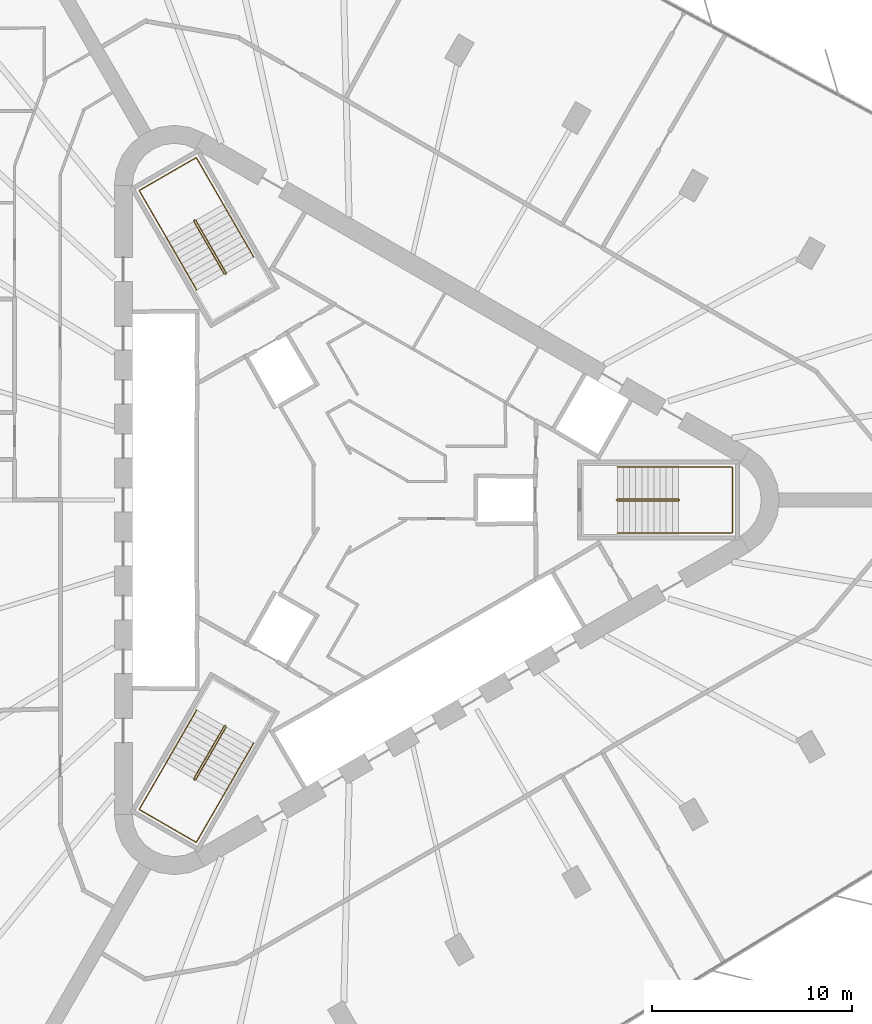
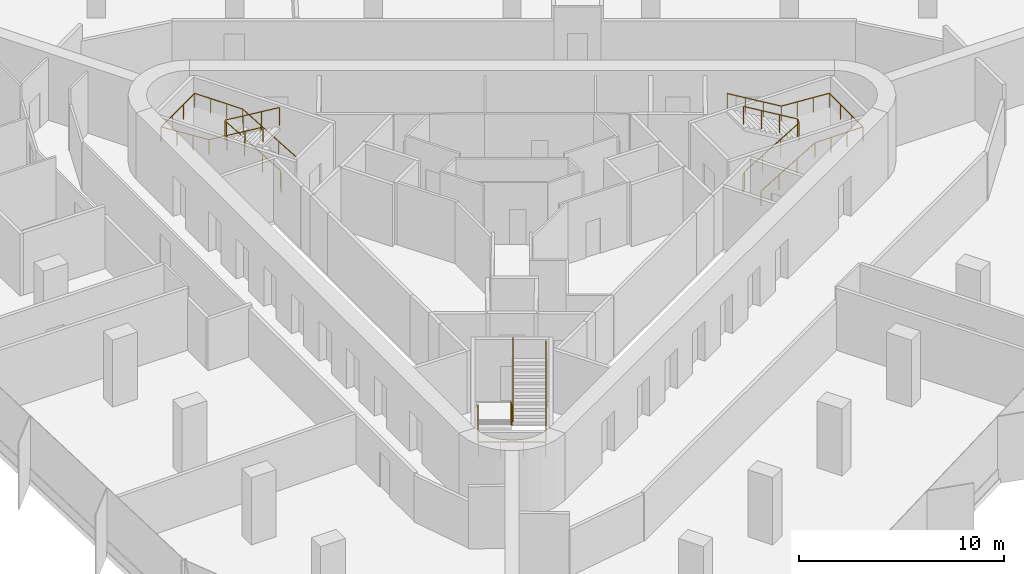
# One storey, part 14 of 14: 6 railings.
"""IFC4 building model written with IfcOpenShell, lengths in metres."""

from ifc_helpers import new_model, si_unit, direction, frame, origin, origin_2d, place, context, subcontext, project, spatial, circle, extrude, material, type_object, element, save


model = new_model("IFC4")

# Units and contexts
model_context = context("Model", 3, precision=1e-05, world=origin(), true_north=direction((0.0, 1.0)))
body_context = subcontext(model_context, "Body", "Model", "MODEL_VIEW")
ifc_project = project(units=[si_unit("LENGTHUNIT", "METRE"), si_unit("AREAUNIT", "SQUARE_METRE"), si_unit("VOLUMEUNIT", "CUBIC_METRE"), si_unit("PLANEANGLEUNIT", "RADIAN"), si_unit("MASSUNIT", "GRAM", prefix="KILO")], contexts=[model_context])

# Site, building, storey
site_placement = place(None, origin())
site = spatial("IfcSite", under=ifc_project, at=site_placement, CompositionType="ELEMENT")
building_placement = place(site_placement, origin())
building = spatial("IfcBuilding", under=site, at=building_placement, Name="Tanit Gate Tower", CompositionType="ELEMENT")
storey_placement = place(building_placement, frame((0.0, 0.0, 217.199951171875)))
storey = spatial("IfcBuildingStorey", under=building, at=storey_placement, Name="L48", CompositionType="ELEMENT", Elevation=217.199951171875)

# Railings
ifc_material_1 = material(Name="Stainless steel balustrade", Category="steel")
railing_type_1 = type_object("IfcRailingType", Name="INT-STAIR-GUARD", PredefinedType="GUARDRAIL", material=ifc_material_1)
railing_1_placement = place(storey_placement, frame((13.044921875, 0.0048828125, 0.0)))
element("IfcRailing", 1, at=railing_1_placement, inside=storey, type_object=railing_type_1, Name="L48 S1 stair guard 1", PredefinedType="GUARDRAIL", context=body_context, shape_type="SweptSolid", body=[
    extrude(circle(Radius=0.02392578125, at=origin_2d()), frame((0.0, 0.0, 1.076171875), z_axis=(0.0, -1.0, 0.0), x_axis=(1.0, 0.0, 0.0)), (0.0, 0.0, 1.0), 0.009765625),
    extrude(circle(Radius=0.02392578125, at=origin_2d()), frame((0.0, -0.009765625, 1.076171875), z_axis=(0.256435381639, -0.256435381639, 0.931923704005), x_axis=(0.707106781187, 0.707106781187, 0.0)), (0.0, 0.0, 1.0), 0.195068359375),
    extrude(circle(Radius=0.02392578125, at=origin_2d()), frame((0.050048828125, -0.059814453125, 1.2578125), z_axis=(0.859041732319, 0.0, 0.511905559781), x_axis=(0.0, 1.0, 0.0)), (0.0, 0.0, 1.0), 3.5517578125),
    extrude(circle(Radius=0.02392578125, at=origin_2d()), frame((3.10107421875, -0.059814453125, 3.076171875), z_axis=(0.707106781187, 0.707106781187, 0.0), x_axis=(-0.707106781187, 0.707106781187, 0.0)), (0.0, 0.0, 1.0), 0.07080078125),
    extrude(circle(Radius=0.02392578125, at=origin_2d()), frame((3.151123046875, -0.009765625, 3.076171875), z_axis=(0.0, 1.0, 0.0), x_axis=(-1.0, 0.0, 0.0)), (0.0, 0.0, 1.0), 0.009765625),
    extrude(circle(Radius=0.02392578125, at=origin_2d()), frame((3.151123046875, 0.0, 3.076171875), z_axis=(-0.256435381639, 0.256435381639, 0.931923704005), x_axis=(-0.707106781187, -0.707106781187, 0.0)), (0.0, 0.0, 1.0), 0.195068359375),
    extrude(circle(Radius=0.02392578125, at=origin_2d()), frame((3.10107421875, 0.050048828125, 3.2578125), z_axis=(-0.859041732319, 0.0, 0.511905559781), x_axis=(0.0, -1.0, 0.0)), (0.0, 0.0, 1.0), 3.5517578125),
    extrude(circle(Radius=0.02099609375, at=origin_2d()), origin(), (0.0, 0.0, 1.0), 1.052001953125),
    extrude(circle(Radius=0.02099609375, at=origin_2d()), frame((0.0, -0.009765625, 0.0)), (0.0, 0.0, 1.0), 1.052001953125),
    extrude(circle(Radius=0.02099609375, at=origin_2d()), frame((0.050048828125, -0.059814453125, 0.181884765625)), (0.0, 0.0, 1.0), 1.052001953125),
    extrude(circle(Radius=0.02099609375, at=origin_2d()), frame((1.067138671875, -0.059814453125, 0.787841796875)), (0.0, 0.0, 1.0), 1.052001953125),
    extrude(circle(Radius=0.02099609375, at=origin_2d()), frame((2.083984375, -0.059814453125, 1.39404296875)), (0.0, 0.0, 1.0), 1.052001953125),
    extrude(circle(Radius=0.02099609375, at=origin_2d()), frame((3.10107421875, -0.059814453125, 2.0)), (0.0, 0.0, 1.0), 1.052001953125),
    extrude(circle(Radius=0.02099609375, at=origin_2d()), frame((3.151123046875, -0.009765625, 2.0)), (0.0, 0.0, 1.0), 1.052001953125),
    extrude(circle(Radius=0.02099609375, at=origin_2d()), frame((3.151123046875, 0.0, 2.0)), (0.0, 0.0, 1.0), 1.052001953125),
    extrude(circle(Radius=0.02099609375, at=origin_2d()), frame((3.10107421875, 0.050048828125, 2.181884765625)), (0.0, 0.0, 1.0), 1.052001953125),
    extrude(circle(Radius=0.02099609375, at=origin_2d()), frame((2.083984375, 0.050048828125, 2.787841796875)), (0.0, 0.0, 1.0), 1.052001953125),
    extrude(circle(Radius=0.02099609375, at=origin_2d()), frame((1.067138671875, 0.050048828125, 3.39404296875)), (0.0, 0.0, 1.0), 1.052001953125),
    extrude(circle(Radius=0.02099609375, at=origin_2d()), frame((0.050048828125, 0.050048828125, 4.0)), (0.0, 0.0, 1.0), 1.052001953125),
])
railing_2_placement = place(storey_placement, frame((-6.527099609375, 11.29345703125, 0.0)))
element("IfcRailing", 2, at=railing_2_placement, inside=storey, type_object=railing_type_1, Name="L48 S2 stair guard 1", PredefinedType="GUARDRAIL", context=body_context, shape_type="SweptSolid", body=[
    extrude(circle(Radius=0.02392578125, at=origin_2d()), frame((0.0, 0.0, 1.076171875), z_axis=(0.868243142124, 0.496138938357, 0.0), x_axis=(-0.496138938357, 0.868243142124, 0.0)), (0.0, 0.0, 1.0), 0.01171875),
    extrude(circle(Radius=0.02392578125, at=origin_2d()), frame((0.01025390625, 0.005859375, 1.076171875), z_axis=(0.093819657636, 0.350260055175, 0.93194193252), x_axis=(-0.965948051503, 0.258736085224, 0.0)), (0.0, 0.0, 1.0), 0.195068359375),
    extrude(circle(Radius=0.02392578125, at=origin_2d()), frame((0.028564453125, 0.07421875, 1.2578125), z_axis=(-0.429472220917, 0.743822504634, 0.512134448226), x_axis=(-0.866012246495, -0.500022788402, 0.0)), (0.0, 0.0, 1.0), 3.550048828125),
    extrude(circle(Radius=0.02392578125, at=origin_2d()), frame((-1.49609375, 2.71484375, 3.076171875), z_axis=(-0.965715946433, 0.259601060869, 0.0), x_axis=(-0.259601060869, -0.965715946433, 0.0)), (0.0, 0.0, 1.0), 0.070556640625),
    extrude(circle(Radius=0.02392578125, at=origin_2d()), frame((-1.564208984375, 2.733154296875, 3.076171875), z_axis=(-0.873197702015, -0.487366159264, 0.0), x_axis=(0.487366159264, -0.873197702015, 0.0)), (0.0, 0.0, 1.0), 0.011962890625),
    extrude(circle(Radius=0.02392578125, at=origin_2d()), frame((-1.57470703125, 2.727294921875, 3.076171875), z_axis=(-0.093819657636, -0.350260055175, 0.93194193252), x_axis=(0.965948051503, -0.258736085224, 0.0)), (0.0, 0.0, 1.0), 0.195068359375),
    extrude(circle(Radius=0.02392578125, at=origin_2d()), frame((-1.593017578125, 2.658935546875, 3.2578125), z_axis=(0.429472220917, -0.743822504634, 0.512134448226), x_axis=(0.866012246495, 0.500022788402, 0.0)), (0.0, 0.0, 1.0), 3.550048828125),
    extrude(circle(Radius=0.02099609375, at=origin_2d()), origin(), (0.0, 0.0, 1.0), 1.052001953125),
    extrude(circle(Radius=0.02099609375, at=origin_2d()), frame((0.01025390625, 0.005859375, 0.0)), (0.0, 0.0, 1.0), 1.052001953125),
    extrude(circle(Radius=0.02099609375, at=origin_2d()), frame((0.028564453125, 0.07421875, 0.181884765625)), (0.0, 0.0, 1.0), 1.052001953125),
    extrude(circle(Radius=0.02099609375, at=origin_2d()), frame((-0.479736328125, 0.954345703125, 0.787841796875)), (0.0, 0.0, 1.0), 1.052001953125),
    extrude(circle(Radius=0.02099609375, at=origin_2d()), frame((-0.98779296875, 1.834716796875, 1.39404296875)), (0.0, 0.0, 1.0), 1.052001953125),
    extrude(circle(Radius=0.02099609375, at=origin_2d()), frame((-1.49609375, 2.71484375, 2.0)), (0.0, 0.0, 1.0), 1.052001953125),
    extrude(circle(Radius=0.02099609375, at=origin_2d()), frame((-1.564208984375, 2.733154296875, 2.0)), (0.0, 0.0, 1.0), 1.052001953125),
    extrude(circle(Radius=0.02099609375, at=origin_2d()), frame((-1.57470703125, 2.727294921875, 2.0)), (0.0, 0.0, 1.0), 1.052001953125),
    extrude(circle(Radius=0.02099609375, at=origin_2d()), frame((-1.593017578125, 2.658935546875, 2.181884765625)), (0.0, 0.0, 1.0), 1.052001953125),
    extrude(circle(Radius=0.02099609375, at=origin_2d()), frame((-1.084716796875, 1.77880859375, 2.787841796875)), (0.0, 0.0, 1.0), 1.052001953125),
    extrude(circle(Radius=0.02099609375, at=origin_2d()), frame((-0.57666015625, 0.8984375, 3.39404296875)), (0.0, 0.0, 1.0), 1.052001953125),
    extrude(circle(Radius=0.02099609375, at=origin_2d()), frame((-0.068359375, 0.018310546875, 4.0)), (0.0, 0.0, 1.0), 1.052001953125),
])
railing_3_placement = place(storey_placement, frame((-6.51806640625, -11.2998046875, 0.0)))
element("IfcRailing", 3, at=railing_3_placement, inside=storey, type_object=railing_type_1, Name="L48 S3 stair guard 1", PredefinedType="GUARDRAIL", context=body_context, shape_type="SweptSolid", body=[
    extrude(circle(Radius=0.02392578125, at=origin_2d()), frame((0.0, 0.0, 1.076171875), z_axis=(-0.874157276122, 0.485642931179, 0.0), x_axis=(-0.485642931179, -0.874157276122, 0.0)), (0.0, 0.0, 1.0), 0.010009765625),
    extrude(circle(Radius=0.02392578125, at=origin_2d()), frame((-0.0087890625, 0.0048828125, 1.076171875), z_axis=(-0.350300895388, -0.092579522353, 0.932050596658), x_axis=(0.255512919477, -0.966805641264, 0.0)), (0.0, 0.0, 1.0), 0.195068359375),
    extrude(circle(Radius=0.02392578125, at=origin_2d()), frame((-0.0771484375, -0.01318359375, 1.2578125), z_axis=(-0.429486674828, -0.743971555965, 0.511905772639), x_axis=(0.866048339477, -0.499960272111, 0.0)), (0.0, 0.0, 1.0), 3.5517578125),
    extrude(circle(Radius=0.02392578125, at=origin_2d()), frame((-1.6025390625, -2.655517578125, 3.076171875), z_axis=(0.258736085224, -0.965948051503, 0.0), x_axis=(0.965948051503, 0.258736085224, 0.0)), (0.0, 0.0, 1.0), 0.07080078125),
    extrude(circle(Radius=0.02392578125, at=origin_2d()), frame((-1.584228515625, -2.723876953125, 3.076171875), z_axis=(0.868243142124, -0.496138938357, 0.0), x_axis=(0.496138938357, 0.868243142124, 0.0)), (0.0, 0.0, 1.0), 0.009765625),
    extrude(circle(Radius=0.02392578125, at=origin_2d()), frame((-1.57568359375, -2.728759765625, 3.076171875), z_axis=(0.350260055175, 0.093819657636, 0.93194193252), x_axis=(-0.258736085224, 0.965948051503, 0.0)), (0.0, 0.0, 1.0), 0.195068359375),
    extrude(circle(Radius=0.02392578125, at=origin_2d()), frame((-1.50732421875, -2.71044921875, 3.2578125), z_axis=(0.429564698942, 0.743918894535, 0.511916836777), x_axis=(-0.865993683553, 0.500054937028, 0.0)), (0.0, 0.0, 1.0), 3.551513671875),
    extrude(circle(Radius=0.02099609375, at=origin_2d()), origin(), (0.0, 0.0, 1.0), 1.052001953125),
    extrude(circle(Radius=0.02099609375, at=origin_2d()), frame((-0.0087890625, 0.0048828125, 0.0)), (0.0, 0.0, 1.0), 1.052001953125),
    extrude(circle(Radius=0.02099609375, at=origin_2d()), frame((-0.0771484375, -0.01318359375, 0.181884765625)), (0.0, 0.0, 1.0), 1.052001953125),
    extrude(circle(Radius=0.02099609375, at=origin_2d()), frame((-0.585693359375, -0.89404296875, 0.787841796875)), (0.0, 0.0, 1.0), 1.052001953125),
    extrude(circle(Radius=0.02099609375, at=origin_2d()), frame((-1.093994140625, -1.774658203125, 1.39404296875)), (0.0, 0.0, 1.0), 1.052001953125),
    extrude(circle(Radius=0.02099609375, at=origin_2d()), frame((-1.6025390625, -2.655517578125, 2.0)), (0.0, 0.0, 1.0), 1.052001953125),
    extrude(circle(Radius=0.02099609375, at=origin_2d()), frame((-1.584228515625, -2.723876953125, 2.0)), (0.0, 0.0, 1.0), 1.052001953125),
    extrude(circle(Radius=0.02099609375, at=origin_2d()), frame((-1.57568359375, -2.728759765625, 2.0)), (0.0, 0.0, 1.0), 1.052001953125),
    extrude(circle(Radius=0.02099609375, at=origin_2d()), frame((-1.50732421875, -2.71044921875, 2.181884765625)), (0.0, 0.0, 1.0), 1.052001953125),
    extrude(circle(Radius=0.02099609375, at=origin_2d()), frame((-0.998779296875, -1.829833984375, 2.787841796875)), (0.0, 0.0, 1.0), 1.052001953125),
    extrude(circle(Radius=0.02099609375, at=origin_2d()), frame((-0.490234375, -0.948974609375, 3.39404296875)), (0.0, 0.0, 1.0), 1.052001953125),
    extrude(circle(Radius=0.02099609375, at=origin_2d()), frame((0.018310546875, -0.068359375, 4.0)), (0.0, 0.0, 1.0), 1.052001953125),
])
ifc_material_2 = material(Name="Stainless steel handrail", Category="steel")
railing_type_2 = type_object("IfcRailingType", Name="INT-STAIR-HANDRAIL", PredefinedType="HANDRAIL", material=ifc_material_2)
railing_4_placement = place(storey_placement, frame((13.094970703125, -1.64990234375, 0.181884765625)))
element("IfcRailing", 4, at=railing_4_placement, inside=storey, type_object=railing_type_2, Name="L48 S1 stair handrail 1", PredefinedType="HANDRAIL", context=body_context, shape_type="SweptSolid", body=[
    extrude(circle(Radius=0.02392578125, at=origin_2d()), frame((0.0, 0.0, 0.8759765625), z_axis=(0.859041732319, 0.0, 0.511905559781), x_axis=(0.0, 1.0, 0.0)), (0.0, 0.0, 1.0), 3.5517578125),
    extrude(circle(Radius=0.02392578125, at=origin_2d()), frame((3.051025390625, 0.0, 2.69384765625), z_axis=(1.0, 0.0, 0.0), x_axis=(0.0, 1.0, 0.0)), (0.0, 0.0, 1.0), 2.7041015625),
    extrude(circle(Radius=0.02392578125, at=origin_2d()), frame((5.755126953125, 0.0, 2.69384765625), z_axis=(0.0, 1.0, 0.0), x_axis=(-1.0, 0.0, 0.0)), (0.0, 0.0, 1.0), 3.2998046875),
    extrude(circle(Radius=0.02392578125, at=origin_2d()), frame((5.755126953125, 3.2998046875, 2.69384765625), z_axis=(-0.997745521698, 0.0, 0.067110907698), x_axis=(0.0, -1.0, 0.0)), (0.0, 0.0, 1.0), 2.710205078125),
    extrude(circle(Radius=0.02392578125, at=origin_2d()), frame((3.051025390625, 3.2998046875, 2.8759765625), z_axis=(-0.859041732319, 0.0, 0.511905559781), x_axis=(0.0, -1.0, 0.0)), (0.0, 0.0, 1.0), 3.5517578125),
    extrude(circle(Radius=0.02099609375, at=origin_2d()), origin(), (0.0, 0.0, 1.0), 0.851806640625),
    extrude(circle(Radius=0.02099609375, at=origin_2d()), frame((1.01708984375, 0.0, 0.60595703125)), (0.0, 0.0, 1.0), 0.851806640625),
    extrude(circle(Radius=0.02099609375, at=origin_2d()), frame((2.033935546875, 0.0, 1.212158203125)), (0.0, 0.0, 1.0), 0.851806640625),
    extrude(circle(Radius=0.02099609375, at=origin_2d()), frame((3.051025390625, 0.0, 1.818115234375)), (0.0, 0.0, 1.0), 0.851806640625),
    extrude(circle(Radius=0.02099609375, at=origin_2d()), frame((3.952392578125, 0.0, 1.818115234375)), (0.0, 0.0, 1.0), 0.851806640625),
    extrude(circle(Radius=0.02099609375, at=origin_2d()), frame((4.853759765625, 0.0, 1.818115234375)), (0.0, 0.0, 1.0), 0.851806640625),
    extrude(circle(Radius=0.02099609375, at=origin_2d()), frame((5.755126953125, 0.0, 1.818115234375)), (0.0, 0.0, 1.0), 0.851806640625),
    extrude(circle(Radius=0.02099609375, at=origin_2d()), frame((5.755126953125, 1.099853515625, 1.818115234375)), (0.0, 0.0, 1.0), 0.851806640625),
    extrude(circle(Radius=0.02099609375, at=origin_2d()), frame((5.755126953125, 2.199951171875, 1.818115234375)), (0.0, 0.0, 1.0), 0.851806640625),
    extrude(circle(Radius=0.02099609375, at=origin_2d()), frame((5.755126953125, 3.2998046875, 1.818115234375)), (0.0, 0.0, 1.0), 0.851806640625),
    extrude(circle(Radius=0.02099609375, at=origin_2d()), frame((4.853759765625, 3.2998046875, 1.878662109375)), (0.0, 0.0, 1.0), 0.851806640625),
    extrude(circle(Radius=0.02099609375, at=origin_2d()), frame((3.952392578125, 3.2998046875, 1.939453125)), (0.0, 0.0, 1.0), 0.851806640625),
    extrude(circle(Radius=0.02099609375, at=origin_2d()), frame((3.051025390625, 3.2998046875, 2.0)), (0.0, 0.0, 1.0), 0.851806640625),
    extrude(circle(Radius=0.02099609375, at=origin_2d()), frame((2.033935546875, 3.2998046875, 2.60595703125)), (0.0, 0.0, 1.0), 0.851806640625),
    extrude(circle(Radius=0.02099609375, at=origin_2d()), frame((1.01708984375, 3.2998046875, 3.212158203125)), (0.0, 0.0, 1.0), 0.851806640625),
    extrude(circle(Radius=0.02099609375, at=origin_2d()), frame((0.0, 3.2998046875, 3.818115234375)), (0.0, 0.0, 1.0), 0.851806640625),
])
railing_5_placement = place(storey_placement, frame((-5.1181640625, 12.164794921875, 0.181884765625)))
element("IfcRailing", 5, at=railing_5_placement, inside=storey, type_object=railing_type_2, Name="L48 S2 stair handrail 1", PredefinedType="HANDRAIL", context=body_context, shape_type="SweptSolid", body=[
    extrude(circle(Radius=0.02392578125, at=origin_2d()), frame((0.0, 0.0, 0.8759765625), z_axis=(-0.429416132344, 0.743844472684, 0.512149573602), x_axis=(-0.866046917185, -0.499962735845, 0.0)), (0.0, 0.0, 1.0), 3.550048828125),
    extrude(circle(Radius=0.02392578125, at=origin_2d()), frame((-1.5244140625, 2.640625, 2.69384765625), z_axis=(-0.500019123664, 0.86601436245, 0.0), x_axis=(-0.86601436245, -0.500019123664, 0.0)), (0.0, 0.0, 1.0), 2.70703125),
    extrude(circle(Radius=0.02392578125, at=origin_2d()), frame((-2.8779296875, 4.98486328125, 2.69384765625), z_axis=(-0.866008176907, -0.50002983664, 0.0), x_axis=(0.50002983664, -0.866008176907, 0.0)), (0.0, 0.0, 1.0), 3.300048828125),
    extrude(circle(Radius=0.02392578125, at=origin_2d()), frame((-5.73583984375, 3.334716796875, 2.69384765625), z_axis=(0.498932980467, -0.864043208057, 0.067046369128), x_axis=(0.865991810323, 0.500058181068, 0.0)), (0.0, 0.0, 1.0), 2.712890625),
    extrude(circle(Radius=0.02392578125, at=origin_2d()), frame((-4.38232421875, 0.99072265625, 2.8759765625), z_axis=(0.429450252752, -0.743853224023, 0.512108251761), x_axis=(0.866032263162, 0.499988119021, 0.0)), (0.0, 0.0, 1.0), 3.55029296875),
    extrude(circle(Radius=0.02099609375, at=origin_2d()), origin(), (0.0, 0.0, 1.0), 0.851806640625),
    extrude(circle(Radius=0.02099609375, at=origin_2d()), frame((-0.508056640625, 0.880126953125, 0.60595703125)), (0.0, 0.0, 1.0), 0.851806640625),
    extrude(circle(Radius=0.02099609375, at=origin_2d()), frame((-1.016357421875, 1.760498046875, 1.212158203125)), (0.0, 0.0, 1.0), 0.851806640625),
    extrude(circle(Radius=0.02099609375, at=origin_2d()), frame((-1.5244140625, 2.640625, 1.818115234375)), (0.0, 0.0, 1.0), 0.851806640625),
    extrude(circle(Radius=0.02099609375, at=origin_2d()), frame((-1.9755859375, 3.422119140625, 1.818115234375)), (0.0, 0.0, 1.0), 0.851806640625),
    extrude(circle(Radius=0.02099609375, at=origin_2d()), frame((-2.4267578125, 4.203369140625, 1.818115234375)), (0.0, 0.0, 1.0), 0.851806640625),
    extrude(circle(Radius=0.02099609375, at=origin_2d()), frame((-2.8779296875, 4.98486328125, 1.818115234375)), (0.0, 0.0, 1.0), 0.851806640625),
    extrude(circle(Radius=0.02099609375, at=origin_2d()), frame((-3.83056640625, 4.434814453125, 1.818115234375)), (0.0, 0.0, 1.0), 0.851806640625),
    extrude(circle(Radius=0.02099609375, at=origin_2d()), frame((-4.783203125, 3.884765625, 1.818115234375)), (0.0, 0.0, 1.0), 0.851806640625),
    extrude(circle(Radius=0.02099609375, at=origin_2d()), frame((-5.73583984375, 3.334716796875, 1.818115234375)), (0.0, 0.0, 1.0), 0.851806640625),
    extrude(circle(Radius=0.02099609375, at=origin_2d()), frame((-5.28466796875, 2.553466796875, 1.878662109375)), (0.0, 0.0, 1.0), 0.851806640625),
    extrude(circle(Radius=0.02099609375, at=origin_2d()), frame((-4.83349609375, 1.77197265625, 1.939453125)), (0.0, 0.0, 1.0), 0.851806640625),
    extrude(circle(Radius=0.02099609375, at=origin_2d()), frame((-4.38232421875, 0.99072265625, 2.0)), (0.0, 0.0, 1.0), 0.851806640625),
    extrude(circle(Radius=0.02099609375, at=origin_2d()), frame((-3.8740234375, 0.1103515625, 2.60595703125)), (0.0, 0.0, 1.0), 0.851806640625),
    extrude(circle(Radius=0.02099609375, at=origin_2d()), frame((-3.365966796875, -0.769775390625, 3.212158203125)), (0.0, 0.0, 1.0), 0.851806640625),
    extrude(circle(Radius=0.02099609375, at=origin_2d()), frame((-2.857666015625, -1.650146484375, 3.818115234375)), (0.0, 0.0, 1.0), 0.851806640625),
])
railing_6_placement = place(storey_placement, frame((-7.9765625, -10.515625, 0.181884765625)))
element("IfcRailing", 6, at=railing_6_placement, inside=storey, type_object=railing_type_2, Name="L48 S3 stair handrail 1", PredefinedType="HANDRAIL", context=body_context, shape_type="SweptSolid", body=[
    extrude(circle(Radius=0.02392578125, at=origin_2d()), frame((0.0, 0.0, 0.8759765625), z_axis=(-0.429486674828, -0.743971555965, 0.511905772639), x_axis=(0.866048339477, -0.499960272111, 0.0)), (0.0, 0.0, 1.0), 3.5517578125),
    extrude(circle(Radius=0.02392578125, at=origin_2d()), frame((-1.525390625, -2.642333984375, 2.69384765625), z_axis=(-0.50004290449, -0.866000631449, 0.0), x_axis=(0.866000631449, -0.50004290449, 0.0)), (0.0, 0.0, 1.0), 2.703857421875),
    extrude(circle(Radius=0.02392578125, at=origin_2d()), frame((-2.87744140625, -4.98388671875, 2.69384765625), z_axis=(0.866008176907, -0.50002983664, 0.0), x_axis=(0.50002983664, 0.866008176907, 0.0)), (0.0, 0.0, 1.0), 3.300048828125),
    extrude(circle(Radius=0.02392578125, at=origin_2d()), frame((-0.01953125, -6.634033203125, 2.69384765625), z_axis=(0.498876541924, 0.864070745781, 0.067111416348), x_axis=(-0.866023205937, 0.500003806764, 0.0)), (0.0, 0.0, 1.0), 2.710205078125),
    extrude(circle(Radius=0.02392578125, at=origin_2d()), frame((1.33251953125, -4.292236328125, 2.8759765625), z_axis=(0.429486674828, 0.743971555965, 0.511905772639), x_axis=(-0.866048339477, 0.499960272111, 0.0)), (0.0, 0.0, 1.0), 3.5517578125),
    extrude(circle(Radius=0.02099609375, at=origin_2d()), origin(), (0.0, 0.0, 1.0), 0.851806640625),
    extrude(circle(Radius=0.02099609375, at=origin_2d()), frame((-0.508544921875, -0.880859375, 0.60595703125)), (0.0, 0.0, 1.0), 0.851806640625),
    extrude(circle(Radius=0.02099609375, at=origin_2d()), frame((-1.016845703125, -1.761474609375, 1.212158203125)), (0.0, 0.0, 1.0), 0.851806640625),
    extrude(circle(Radius=0.02099609375, at=origin_2d()), frame((-1.525390625, -2.642333984375, 1.818115234375)), (0.0, 0.0, 1.0), 0.851806640625),
    extrude(circle(Radius=0.02099609375, at=origin_2d()), frame((-1.97607421875, -3.4228515625, 1.818115234375)), (0.0, 0.0, 1.0), 0.851806640625),
    extrude(circle(Radius=0.02099609375, at=origin_2d()), frame((-2.4267578125, -4.203369140625, 1.818115234375)), (0.0, 0.0, 1.0), 0.851806640625),
    extrude(circle(Radius=0.02099609375, at=origin_2d()), frame((-2.87744140625, -4.98388671875, 1.818115234375)), (0.0, 0.0, 1.0), 0.851806640625),
    extrude(circle(Radius=0.02099609375, at=origin_2d()), frame((-1.9248046875, -5.533935546875, 1.818115234375)), (0.0, 0.0, 1.0), 0.851806640625),
    extrude(circle(Radius=0.02099609375, at=origin_2d()), frame((-0.97216796875, -6.083984375, 1.818115234375)), (0.0, 0.0, 1.0), 0.851806640625),
    extrude(circle(Radius=0.02099609375, at=origin_2d()), frame((-0.01953125, -6.634033203125, 1.818115234375)), (0.0, 0.0, 1.0), 0.851806640625),
    extrude(circle(Radius=0.02099609375, at=origin_2d()), frame((0.43115234375, -5.853515625, 1.878662109375)), (0.0, 0.0, 1.0), 0.851806640625),
    extrude(circle(Radius=0.02099609375, at=origin_2d()), frame((0.8818359375, -5.07275390625, 1.939453125)), (0.0, 0.0, 1.0), 0.851806640625),
    extrude(circle(Radius=0.02099609375, at=origin_2d()), frame((1.33251953125, -4.292236328125, 2.0)), (0.0, 0.0, 1.0), 0.851806640625),
    extrude(circle(Radius=0.02099609375, at=origin_2d()), frame((1.841064453125, -3.411376953125, 2.60595703125)), (0.0, 0.0, 1.0), 0.851806640625),
    extrude(circle(Radius=0.02099609375, at=origin_2d()), frame((2.349365234375, -2.53076171875, 3.212158203125)), (0.0, 0.0, 1.0), 0.851806640625),
    extrude(circle(Radius=0.02099609375, at=origin_2d()), frame((2.85791015625, -1.64990234375, 3.818115234375)), (0.0, 0.0, 1.0), 0.851806640625),
])

save(model, "model.ifc")
